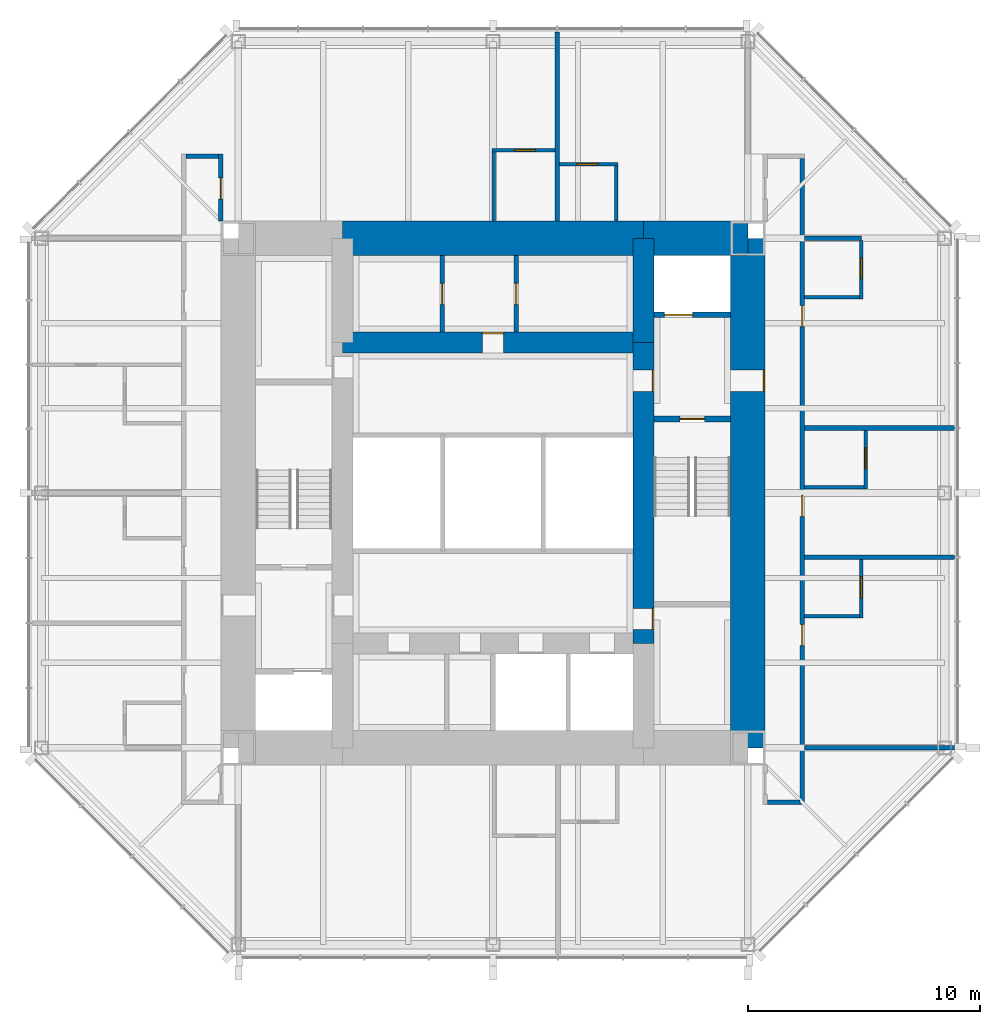
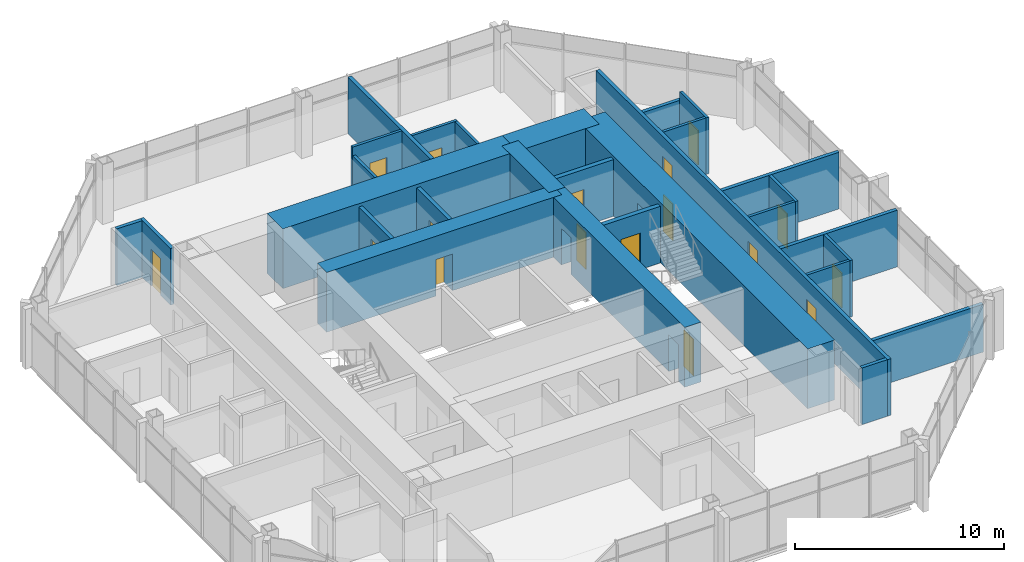
# One storey, part 9 of 11: 29 walls, 17 doors, 17 openings.
"""IFC4 building model written with IfcOpenShell, lengths in metres."""

from ifc_helpers import new_model, si_unit, direction, frame, frame_2d, origin, place, context, subcontext, project, spatial, rectangle, extrude, material, layer, layer_set, type_object, element, fill, save


model = new_model("IFC4")

# Units and contexts
model_context = context("Model", 3, precision=1e-05, world=origin(), true_north=direction((0.0, 1.0)))
body_context = subcontext(model_context, "Body", "Model", "MODEL_VIEW")
ifc_project = project(units=[si_unit("LENGTHUNIT", "METRE"), si_unit("AREAUNIT", "SQUARE_METRE"), si_unit("VOLUMEUNIT", "CUBIC_METRE"), si_unit("PLANEANGLEUNIT", "RADIAN"), si_unit("MASSUNIT", "GRAM", prefix="KILO")], contexts=[model_context])

# Site, building, storey
site_placement = place(None, origin())
site = spatial("IfcSite", under=ifc_project, at=site_placement, CompositionType="ELEMENT")
building_placement = place(site_placement, origin())
building = spatial("IfcBuilding", under=site, at=building_placement, Name="Trevanion Tower", CompositionType="ELEMENT")
storey_placement = place(building_placement, frame((0.0, 0.0, 246.699951171875)))
storey = spatial("IfcBuildingStorey", under=building, at=storey_placement, Name="L60", CompositionType="ELEMENT", Elevation=246.699951171875)

# Wall, opening, door
ifc_material_1 = material(Name="Concrete 10,000 psi", Category="concrete")
ifc_layer_1 = layer(ifc_material_1, 1.5)
ifc_layer_set_1 = layer_set([ifc_layer_1], Name="CW1 core wall 1500")
wall_type_1 = type_object("IfcWallType", Name="CW1 core wall 1500", PredefinedType="SHEAR", material=ifc_layer_set_1)
wall_1_placement = place(storey_placement, frame((11.0, -11.0, 0.0), z_axis=(0.0, 0.0, 1.0), x_axis=(0.0, 1.0, 0.0)))
wall_1 = element("IfcWall", 1, at=wall_1_placement, inside=storey, type_object=wall_type_1, Name="CW1 CE L60", PredefinedType="SHEAR", context=body_context, shape_type="SweptSolid", body=[
    extrude(rectangle(XDim=22.0, YDim=1.5, at=frame_2d((11.0, 0.0))), origin(), (0.0, 0.0, 1.0), 3.5),
])
opening_1_placement = place(wall_1_placement, frame((15.392578125, 0.0, 0.0)))
opening_1 = element("IfcOpeningElement", 2, at=opening_1_placement, cuts=wall_1, Name="Opening 60-001", PredefinedType="OPENING", context=body_context, shape_type="SweptSolid", body=[
    extrude(rectangle(XDim=0.9150390625, YDim=2.134033203125, at=frame_2d((0.45751953125, 1.06689453125))), frame((0.0, 0.760009765625, 0.0), z_axis=(0.0, -1.0, 0.0), x_axis=(1.0, 0.0, 0.0)), (0.0, 0.0, 1.0), 1.52001953125),
])
ifc_material_2 = material(Name="Hollow metal, fire rated", Category="steel")
door_type_1 = type_object("IfcDoorType", Name="D3 fire lift lobby door", OperationType="SINGLE_SWING_RIGHT", PredefinedType="DOOR", material=ifc_material_2)
door_1_placement = place(opening_1_placement, origin())
door_1 = element("IfcDoor", 3, at=door_1_placement, inside=storey, type_object=door_type_1, Name="Door 60-001", OperationType="SINGLE_SWING_RIGHT", OverallHeight=2.134033203125, OverallWidth=0.9150390625, PredefinedType="DOOR", context=body_context, shape_type="SweptSolid", body=[
    extrude(rectangle(XDim=0.9150390625, YDim=2.134033203125, at=frame_2d((0.45751953125, 1.06689453125))), frame((0.0, -0.6748046875, 0.0), z_axis=(0.0, -1.0, 0.0), x_axis=(1.0, 0.0, 0.0)), (0.0, 0.0, 1.0), 0.050048828125),
])
fill(opening_1, door_1)

# Walls
wall_2_placement = place(storey_placement, frame((11.0, 11.0, 0.0), z_axis=(0.0, 0.0, 1.0), x_axis=(-1.0, 0.0, 0.0)))
element("IfcWall", 4, at=wall_2_placement, inside=storey, type_object=wall_type_1, Name="CW1 CN1 L60", PredefinedType="SHEAR", context=body_context, shape_type="SweptSolid", body=[
    extrude(rectangle(XDim=4.5, YDim=1.5, at=frame_2d((2.25, 0.0))), origin(), (0.0, 0.0, 1.0), 3.5),
])
wall_3_placement = place(storey_placement, frame((6.5, 11.0, 0.0), z_axis=(0.0, 0.0, 1.0), x_axis=(-1.0, 0.0, 0.0)))
element("IfcWall", 5, at=wall_3_placement, inside=storey, type_object=wall_type_1, Name="CW1 CN2 L60", PredefinedType="SHEAR", context=body_context, shape_type="SweptSolid", body=[
    extrude(rectangle(XDim=13.0, YDim=1.5, at=frame_2d((6.5, 0.0))), origin(), (0.0, 0.0, 1.0), 3.5),
])

# Wall, openings, doors
ifc_material_3 = material(Name="Concrete 10,000 psi", Category="concrete")
ifc_layer_2 = layer(ifc_material_3, 0.89990234375)
ifc_layer_set_2 = layer_set([ifc_layer_2], Name="CW2 core wall 900")
wall_type_2 = type_object("IfcWallType", Name="CW2 core wall 900", PredefinedType="SHEAR", material=ifc_layer_set_2)
wall_4_placement = place(storey_placement, frame((6.5, -6.5, 0.0), z_axis=(0.0, 0.0, 1.0), x_axis=(0.0, 1.0, 0.0)))
wall_4 = element("IfcWall", 6, at=wall_4_placement, inside=storey, type_object=wall_type_2, Name="CW2 RE2 L60", PredefinedType="SHEAR", context=body_context, shape_type="SweptSolid", body=[
    extrude(rectangle(XDim=13.0, YDim=0.89990234375, at=frame_2d((6.5, 0.0))), origin(), (0.0, 0.0, 1.0), 3.5),
])
opening_2_placement = place(wall_4_placement, frame((10.892578125, 0.0, 0.0)))
opening_2 = element("IfcOpeningElement", 7, at=opening_2_placement, cuts=wall_4, Name="Opening 60-003", PredefinedType="OPENING", context=body_context, shape_type="SweptSolid", body=[
    extrude(rectangle(XDim=0.9150390625, YDim=2.134033203125, at=frame_2d((0.45751953125, 1.06689453125))), frame((0.0, 0.4599609375, 0.0), z_axis=(0.0, -1.0, 0.0), x_axis=(1.0, 0.0, 0.0)), (0.0, 0.0, 1.0), 0.919921875),
])
opening_3_placement = place(wall_4_placement, frame((0.610107421875, 0.0, 0.0)))
opening_3 = element("IfcOpeningElement", 8, at=opening_3_placement, cuts=wall_4, Name="Opening 60-009", PredefinedType="OPENING", context=body_context, shape_type="SweptSolid", body=[
    extrude(rectangle(XDim=0.9150390625, YDim=2.134033203125, at=frame_2d((0.45751953125, 1.06689453125))), frame((0.0, 0.4599609375, 0.0), z_axis=(0.0, -1.0, 0.0), x_axis=(1.0, 0.0, 0.0)), (0.0, 0.0, 1.0), 0.919921875),
])
door_2_placement = place(opening_2_placement, origin())
door_2 = element("IfcDoor", 9, at=door_2_placement, inside=storey, type_object=door_type_1, Name="Door 60-003", OperationType="SINGLE_SWING_RIGHT", OverallHeight=2.134033203125, OverallWidth=0.9150390625, PredefinedType="DOOR", context=body_context, shape_type="SweptSolid", body=[
    extrude(rectangle(XDim=0.9150390625, YDim=2.134033203125, at=frame_2d((0.45751953125, 1.06689453125))), frame((0.0, -0.375, 0.0), z_axis=(0.0, -1.0, 0.0), x_axis=(1.0, 0.0, 0.0)), (0.0, 0.0, 1.0), 0.050048828125),
])
fill(opening_2, door_2)
ifc_material_4 = material(Name="Hollow metal, fire rated", Category="steel")
door_type_2 = type_object("IfcDoorType", Name="D5 service room door", OperationType="SINGLE_SWING_RIGHT", PredefinedType="DOOR", material=ifc_material_4)
door_3_placement = place(opening_3_placement, origin())
door_3 = element("IfcDoor", 10, at=door_3_placement, inside=storey, type_object=door_type_2, Name="Door 60-009", OperationType="SINGLE_SWING_RIGHT", OverallHeight=2.134033203125, OverallWidth=0.9150390625, PredefinedType="DOOR", context=body_context, shape_type="SweptSolid", body=[
    extrude(rectangle(XDim=0.9150390625, YDim=2.134033203125, at=frame_2d((0.45751953125, 1.06689453125))), frame((0.0, -0.375, 0.0), z_axis=(0.0, -1.0, 0.0), x_axis=(1.0, 0.0, 0.0)), (0.0, 0.0, 1.0), 0.050048828125),
])
fill(opening_3, door_3)

# Wall
wall_5_placement = place(storey_placement, frame((6.5, 6.5, 0.0), z_axis=(0.0, 0.0, 1.0), x_axis=(0.0, 1.0, 0.0)))
element("IfcWall", 11, at=wall_5_placement, inside=storey, type_object=wall_type_2, Name="CW2 RE3 L60", PredefinedType="SHEAR", context=body_context, shape_type="SweptSolid", body=[
    extrude(rectangle(XDim=4.5, YDim=0.89990234375, at=frame_2d((2.25, 0.0))), origin(), (0.0, 0.0, 1.0), 3.5),
])

# Wall, opening, door
wall_6_placement = place(storey_placement, frame((6.5, 6.5, 0.0), z_axis=(0.0, 0.0, 1.0), x_axis=(-1.0, 0.0, 0.0)))
wall_6 = element("IfcWall", 12, at=wall_6_placement, inside=storey, type_object=wall_type_2, Name="CW2 RN L60", PredefinedType="SHEAR", context=body_context, shape_type="SweptSolid", body=[
    extrude(rectangle(XDim=13.0, YDim=0.89990234375, at=frame_2d((6.5, 0.0))), origin(), (0.0, 0.0, 1.0), 3.5),
])
opening_4_placement = place(wall_6_placement, frame((6.04248046875, 0.0, 0.0)))
opening_4 = element("IfcOpeningElement", 13, at=opening_4_placement, cuts=wall_6, Name="Opening 60-015", PredefinedType="OPENING", context=body_context, shape_type="SweptSolid", body=[
    extrude(rectangle(XDim=0.9150390625, YDim=2.134033203125, at=frame_2d((0.45751953125, 1.06689453125))), frame((0.0, 0.4599609375, 0.0), z_axis=(0.0, -1.0, 0.0), x_axis=(1.0, 0.0, 0.0)), (0.0, 0.0, 1.0), 0.919921875),
])
door_4_placement = place(opening_4_placement, origin())
door_4 = element("IfcDoor", 14, at=door_4_placement, inside=storey, type_object=door_type_2, Name="Door 60-015", OperationType="SINGLE_SWING_RIGHT", OverallHeight=2.134033203125, OverallWidth=0.9150390625, PredefinedType="DOOR", context=body_context, shape_type="SweptSolid", body=[
    extrude(rectangle(XDim=0.9150390625, YDim=2.134033203125, at=frame_2d((0.45751953125, 1.06689453125))), frame((0.0, -0.375, 0.0), z_axis=(0.0, -1.0, 0.0), x_axis=(1.0, 0.0, 0.0)), (0.0, 0.0, 1.0), 0.050048828125),
])
fill(opening_4, door_4)

ifc_material_5 = material(Name="Gypsum board on steel studs", Category="steel")
ifc_layer_3 = layer(ifc_material_5, 0.14990234375)
ifc_layer_set_3 = layer_set([ifc_layer_3], Name="PT1 partition 150")
wall_type_3 = type_object("IfcWallType", Name="PT1 partition 150", PredefinedType="PARTITIONING", material=ifc_layer_set_3)
wall_7_placement = place(storey_placement, frame((15.89990234375, -5.39990234375, 0.0), z_axis=(0.0, 0.0, 1.0), x_axis=(0.0, 1.0, 0.0)))
wall_7 = element("IfcWall", 15, at=wall_7_placement, inside=storey, type_object=wall_type_3, Name="PT1 L60 BA00", PredefinedType="PARTITIONING", context=body_context, shape_type="SweptSolid", body=[
    extrude(rectangle(XDim=2.52490234375, YDim=0.14990234375, at=frame_2d((1.262451171875, 0.0))), origin(), (0.0, 0.0, 1.0), 3.31005859375),
])
opening_5_placement = place(wall_7_placement, frame((0.867431640625, 0.0, 0.0)))
opening_5 = element("IfcOpeningElement", 16, at=opening_5_placement, cuts=wall_7, Name="Opening 60-018", PredefinedType="OPENING", context=body_context, shape_type="SweptSolid", body=[
    extrude(rectangle(XDim=0.9150390625, YDim=2.031982421875, at=frame_2d((0.45751953125, 1.01611328125))), frame((0.0, 0.0849609375, 0.0), z_axis=(0.0, -1.0, 0.0), x_axis=(1.0, 0.0, 0.0)), (0.0, 0.0, 1.0), 0.169921875),
])
ifc_material_6 = material(Name="Timber veneer", Category="wood")
door_type_3 = type_object("IfcDoorType", Name="D7 bathroom door", OperationType="SINGLE_SWING_LEFT", PredefinedType="DOOR", material=ifc_material_6)
door_5_placement = place(opening_5_placement, origin())
door_5 = element("IfcDoor", 17, at=door_5_placement, inside=storey, type_object=door_type_3, Name="Door 60-018", OperationType="SINGLE_SWING_LEFT", OverallHeight=2.031982421875, OverallWidth=0.9150390625, PredefinedType="DOOR", context=body_context, shape_type="SweptSolid", body=[
    extrude(rectangle(XDim=0.9150390625, YDim=2.031982421875, at=frame_2d((0.45751953125, 1.01611328125))), frame((0.0, 0.02490234375, 0.0), z_axis=(0.0, -1.0, 0.0), x_axis=(1.0, 0.0, 0.0)), (0.0, 0.0, 1.0), 0.050048828125),
])
fill(opening_5, door_5)

# Wall
wall_8_placement = place(storey_placement, frame((13.449951171875, -5.324951171875, 0.0), z_axis=(0.0, 0.0, 1.0), x_axis=(1.0, 0.0, 0.0)))
element("IfcWall", 18, at=wall_8_placement, inside=storey, type_object=wall_type_3, Name="PT1 L60 BB00", PredefinedType="PARTITIONING", context=body_context, shape_type="SweptSolid", body=[
    extrude(rectangle(XDim=2.375, YDim=0.14990234375, at=frame_2d((1.1875, 0.0))), origin(), (0.0, 0.0, 1.0), 3.31005859375),
])

# Wall, opening, door
wall_9_placement = place(storey_placement, frame((16.10009765625, 0.181884765625, 0.0), z_axis=(0.0, 0.0, 1.0), x_axis=(0.0, 1.0, 0.0)))
wall_9 = element("IfcWall", 19, at=wall_9_placement, inside=storey, type_object=wall_type_3, Name="PT1 L60 BA01", PredefinedType="PARTITIONING", context=body_context, shape_type="SweptSolid", body=[
    extrude(rectangle(XDim=2.525146484375, YDim=0.14990234375, at=frame_2d((1.2626953125, 0.0))), origin(), (0.0, 0.0, 1.0), 3.31005859375),
])
opening_6_placement = place(wall_9_placement, frame((0.867431640625, 0.0, 0.0)))
opening_6 = element("IfcOpeningElement", 20, at=opening_6_placement, cuts=wall_9, Name="Opening 60-020", PredefinedType="OPENING", context=body_context, shape_type="SweptSolid", body=[
    extrude(rectangle(XDim=0.9150390625, YDim=2.031982421875, at=frame_2d((0.45751953125, 1.01611328125))), frame((0.0, 0.0849609375, 0.0), z_axis=(0.0, -1.0, 0.0), x_axis=(1.0, 0.0, 0.0)), (0.0, 0.0, 1.0), 0.169921875),
])
door_6_placement = place(opening_6_placement, origin())
door_6 = element("IfcDoor", 21, at=door_6_placement, inside=storey, type_object=door_type_3, Name="Door 60-020", OperationType="SINGLE_SWING_LEFT", OverallHeight=2.031982421875, OverallWidth=0.9150390625, PredefinedType="DOOR", context=body_context, shape_type="SweptSolid", body=[
    extrude(rectangle(XDim=0.9150390625, YDim=2.031982421875, at=frame_2d((0.45751953125, 1.01611328125))), frame((0.0, 0.02490234375, 0.0), z_axis=(0.0, -1.0, 0.0), x_axis=(1.0, 0.0, 0.0)), (0.0, 0.0, 1.0), 0.050048828125),
])
fill(opening_6, door_6)

# Wall
wall_10_placement = place(storey_placement, frame((13.449951171875, 0.257080078125, 0.0), z_axis=(0.0, 0.0, 1.0), x_axis=(1.0, 0.0, 0.0)))
element("IfcWall", 22, at=wall_10_placement, inside=storey, type_object=wall_type_3, Name="PT1 L60 BB01", PredefinedType="PARTITIONING", context=body_context, shape_type="SweptSolid", body=[
    extrude(rectangle(XDim=2.574951171875, YDim=0.14990234375, at=frame_2d((1.28759765625, 0.0))), origin(), (0.0, 0.0, 1.0), 3.31005859375),
])

# Wall, opening, door
wall_11_placement = place(storey_placement, frame((15.89990234375, 8.375, 0.0), z_axis=(0.0, 0.0, 1.0), x_axis=(0.0, 1.0, 0.0)))
wall_11 = element("IfcWall", 23, at=wall_11_placement, inside=storey, type_object=wall_type_3, Name="PT1 L60 BA02", PredefinedType="PARTITIONING", context=body_context, shape_type="SweptSolid", body=[
    extrude(rectangle(XDim=2.52490234375, YDim=0.14990234375, at=frame_2d((1.262451171875, 0.0))), origin(), (0.0, 0.0, 1.0), 3.31005859375),
])
opening_7_placement = place(wall_11_placement, frame((0.867431640625, 0.0, 0.0)))
opening_7 = element("IfcOpeningElement", 24, at=opening_7_placement, cuts=wall_11, Name="Opening 60-022", PredefinedType="OPENING", context=body_context, shape_type="SweptSolid", body=[
    extrude(rectangle(XDim=0.9150390625, YDim=2.031982421875, at=frame_2d((0.45751953125, 1.01611328125))), frame((0.0, 0.0849609375, 0.0), z_axis=(0.0, -1.0, 0.0), x_axis=(1.0, 0.0, 0.0)), (0.0, 0.0, 1.0), 0.169921875),
])
door_7_placement = place(opening_7_placement, origin())
door_7 = element("IfcDoor", 25, at=door_7_placement, inside=storey, type_object=door_type_3, Name="Door 60-022", OperationType="SINGLE_SWING_LEFT", OverallHeight=2.031982421875, OverallWidth=0.9150390625, PredefinedType="DOOR", context=body_context, shape_type="SweptSolid", body=[
    extrude(rectangle(XDim=0.9150390625, YDim=2.031982421875, at=frame_2d((0.45751953125, 1.01611328125))), frame((0.0, 0.02490234375, 0.0), z_axis=(0.0, -1.0, 0.0), x_axis=(1.0, 0.0, 0.0)), (0.0, 0.0, 1.0), 0.050048828125),
])
fill(opening_7, door_7)

# Wall
wall_12_placement = place(storey_placement, frame((13.449951171875, 8.449951171875, 0.0), z_axis=(0.0, 0.0, 1.0), x_axis=(1.0, 0.0, 0.0)))
element("IfcWall", 26, at=wall_12_placement, inside=storey, type_object=wall_type_3, Name="PT1 L60 BB02", PredefinedType="PARTITIONING", context=body_context, shape_type="SweptSolid", body=[
    extrude(rectangle(XDim=2.375, YDim=0.14990234375, at=frame_2d((1.1875, 0.0))), origin(), (0.0, 0.0, 1.0), 3.31005859375),
])

# Wall, opening, door
wall_13_placement = place(storey_placement, frame((5.39990234375, 14.199951171875, 0.0), z_axis=(0.0, 0.0, 1.0), x_axis=(-1.0, 0.0, 0.0)))
wall_13 = element("IfcWall", 27, at=wall_13_placement, inside=storey, type_object=wall_type_3, Name="PT1 L60 BA10", PredefinedType="PARTITIONING", context=body_context, shape_type="SweptSolid", body=[
    extrude(rectangle(XDim=2.52490234375, YDim=0.14990234375, at=frame_2d((1.262451171875, 0.0))), origin(), (0.0, 0.0, 1.0), 3.31005859375),
])
opening_8_placement = place(wall_13_placement, frame((0.867431640625, 0.0, 0.0)))
opening_8 = element("IfcOpeningElement", 28, at=opening_8_placement, cuts=wall_13, Name="Opening 60-026", PredefinedType="OPENING", context=body_context, shape_type="SweptSolid", body=[
    extrude(rectangle(XDim=0.9150390625, YDim=2.031982421875, at=frame_2d((0.45751953125, 1.01611328125))), frame((0.0, 0.0849609375, 0.0), z_axis=(0.0, -1.0, 0.0), x_axis=(1.0, 0.0, 0.0)), (0.0, 0.0, 1.0), 0.169921875),
])
door_8_placement = place(opening_8_placement, origin())
door_8 = element("IfcDoor", 29, at=door_8_placement, inside=storey, type_object=door_type_3, Name="Door 60-026", OperationType="SINGLE_SWING_LEFT", OverallHeight=2.031982421875, OverallWidth=0.9150390625, PredefinedType="DOOR", context=body_context, shape_type="SweptSolid", body=[
    extrude(rectangle(XDim=0.9150390625, YDim=2.031982421875, at=frame_2d((0.45751953125, 1.01611328125))), frame((0.0, 0.02490234375, 0.0), z_axis=(0.0, -1.0, 0.0), x_axis=(1.0, 0.0, 0.0)), (0.0, 0.0, 1.0), 0.050048828125),
])
fill(opening_8, door_8)

# Wall
wall_14_placement = place(storey_placement, frame((5.324951171875, 11.75, 0.0), z_axis=(0.0, 0.0, 1.0), x_axis=(0.0, 1.0, 0.0)))
element("IfcWall", 30, at=wall_14_placement, inside=storey, type_object=wall_type_3, Name="PT1 L60 BB10", PredefinedType="PARTITIONING", context=body_context, shape_type="SweptSolid", body=[
    extrude(rectangle(XDim=2.375, YDim=0.14990234375, at=frame_2d((1.1875, 0.0))), origin(), (0.0, 0.0, 1.0), 3.31005859375),
])

# Wall, opening, door
wall_15_placement = place(storey_placement, frame((2.675048828125, 14.800048828125, 0.0), z_axis=(0.0, 0.0, 1.0), x_axis=(-1.0, 0.0, 0.0)))
wall_15 = element("IfcWall", 31, at=wall_15_placement, inside=storey, type_object=wall_type_3, Name="PT1 L60 BA11", PredefinedType="PARTITIONING", context=body_context, shape_type="SweptSolid", body=[
    extrude(rectangle(XDim=2.72509765625, YDim=0.14990234375, at=frame_2d((1.362548828125, 0.0))), origin(), (0.0, 0.0, 1.0), 3.31005859375),
])
opening_9_placement = place(wall_15_placement, frame((0.842529296875, 0.0, 0.0)))
opening_9 = element("IfcOpeningElement", 32, at=opening_9_placement, cuts=wall_15, Name="Opening 60-027", PredefinedType="OPENING", context=body_context, shape_type="SweptSolid", body=[
    extrude(rectangle(XDim=0.9150390625, YDim=2.031982421875, at=frame_2d((0.45751953125, 1.01611328125))), frame((0.0, 0.0849609375, 0.0), z_axis=(0.0, -1.0, 0.0), x_axis=(1.0, 0.0, 0.0)), (0.0, 0.0, 1.0), 0.169921875),
])
door_9_placement = place(opening_9_placement, origin())
door_9 = element("IfcDoor", 33, at=door_9_placement, inside=storey, type_object=door_type_3, Name="Door 60-027", OperationType="SINGLE_SWING_LEFT", OverallHeight=2.031982421875, OverallWidth=0.9150390625, PredefinedType="DOOR", context=body_context, shape_type="SweptSolid", body=[
    extrude(rectangle(XDim=0.9150390625, YDim=2.031982421875, at=frame_2d((0.45751953125, 1.01611328125))), frame((0.0, 0.02490234375, 0.0), z_axis=(0.0, -1.0, 0.0), x_axis=(1.0, 0.0, 0.0)), (0.0, 0.0, 1.0), 0.050048828125),
])
fill(opening_9, door_9)

# Wall
wall_16_placement = place(storey_placement, frame((0.02490234375, 11.75, 0.0), z_axis=(0.0, 0.0, 1.0), x_axis=(0.0, 1.0, 0.0)))
element("IfcWall", 34, at=wall_16_placement, inside=storey, type_object=wall_type_3, Name="PT1 L60 BB11", PredefinedType="PARTITIONING", context=body_context, shape_type="SweptSolid", body=[
    extrude(rectangle(XDim=2.97509765625, YDim=0.14990234375, at=frame_2d((1.487548828125, 0.0))), origin(), (0.0, 0.0, 1.0), 2.802001953125),
])

# Wall, opening, door
ifc_material_7 = material(Name="Concrete masonry, grouted", Category="masonry")
ifc_layer_4 = layer(ifc_material_7, 0.199951171875)
ifc_layer_set_4 = layer_set([ifc_layer_4], Name="PT2 partition 200 1 HR")
wall_type_4 = type_object("IfcWallType", Name="PT2 partition 200 1 HR", PredefinedType="PARTITIONING", material=ifc_layer_set_4)
wall_17_placement = place(storey_placement, frame((-2.199951171875, 6.949951171875, 0.0), z_axis=(0.0, 0.0, 1.0), x_axis=(0.0, 1.0, 0.0)))
wall_17 = element("IfcWall", 35, at=wall_17_placement, inside=storey, type_object=wall_type_4, Name="PT2 L60 HKP1", PredefinedType="PARTITIONING", context=body_context, shape_type="SweptSolid", body=[
    extrude(rectangle(XDim=3.300048828125, YDim=0.199951171875, at=frame_2d((1.64990234375, 0.0))), origin(), (0.0, 0.0, 1.0), 3.31005859375),
])
opening_10_placement = place(wall_17_placement, frame((1.1923828125, 0.0, 0.0)))
opening_10 = element("IfcOpeningElement", 36, at=opening_10_placement, cuts=wall_17, Name="Opening 60-016", PredefinedType="OPENING", context=body_context, shape_type="SweptSolid", body=[
    extrude(rectangle(XDim=0.9150390625, YDim=2.134033203125, at=frame_2d((0.45751953125, 1.06689453125))), frame((0.0, 0.10986328125, 0.0), z_axis=(0.0, -1.0, 0.0), x_axis=(1.0, 0.0, 0.0)), (0.0, 0.0, 1.0), 0.219970703125),
])
door_10_placement = place(opening_10_placement, origin())
door_10 = element("IfcDoor", 37, at=door_10_placement, inside=storey, type_object=door_type_2, Name="Door 60-016", OperationType="SINGLE_SWING_RIGHT", OverallHeight=2.134033203125, OverallWidth=0.9150390625, PredefinedType="DOOR", context=body_context, shape_type="SweptSolid", body=[
    extrude(rectangle(XDim=0.9150390625, YDim=2.134033203125, at=frame_2d((0.45751953125, 1.06689453125))), frame((0.0, 0.02490234375, 0.0), z_axis=(0.0, -1.0, 0.0), x_axis=(1.0, 0.0, 0.0)), (0.0, 0.0, 1.0), 0.050048828125),
])
fill(opening_10, door_10)

wall_18_placement = place(storey_placement, frame((1.0, 6.949951171875, 0.0), z_axis=(0.0, 0.0, 1.0), x_axis=(0.0, 1.0, 0.0)))
wall_18 = element("IfcWall", 38, at=wall_18_placement, inside=storey, type_object=wall_type_4, Name="PT2 L60 HKP2", PredefinedType="PARTITIONING", context=body_context, shape_type="SweptSolid", body=[
    extrude(rectangle(XDim=3.300048828125, YDim=0.199951171875, at=frame_2d((1.64990234375, 0.0))), origin(), (0.0, 0.0, 1.0), 3.31005859375),
])
opening_11_placement = place(wall_18_placement, frame((1.1923828125, 0.0, 0.0)))
opening_11 = element("IfcOpeningElement", 39, at=opening_11_placement, cuts=wall_18, Name="Opening 60-017", PredefinedType="OPENING", context=body_context, shape_type="SweptSolid", body=[
    extrude(rectangle(XDim=0.9150390625, YDim=2.134033203125, at=frame_2d((0.45751953125, 1.06689453125))), frame((0.0, 0.10986328125, 0.0), z_axis=(0.0, -1.0, 0.0), x_axis=(1.0, 0.0, 0.0)), (0.0, 0.0, 1.0), 0.219970703125),
])
door_11_placement = place(opening_11_placement, origin())
door_11 = element("IfcDoor", 40, at=door_11_placement, inside=storey, type_object=door_type_2, Name="Door 60-017", OperationType="SINGLE_SWING_RIGHT", OverallHeight=2.134033203125, OverallWidth=0.9150390625, PredefinedType="DOOR", context=body_context, shape_type="SweptSolid", body=[
    extrude(rectangle(XDim=0.9150390625, YDim=2.134033203125, at=frame_2d((0.45751953125, 1.06689453125))), frame((0.0, 0.02490234375, 0.0), z_axis=(0.0, -1.0, 0.0), x_axis=(1.0, 0.0, 0.0)), (0.0, 0.0, 1.0), 0.050048828125),
])
fill(opening_11, door_11)

wall_19_placement = place(storey_placement, frame((-11.75, 11.75, 0.0), z_axis=(0.0, 0.0, 1.0), x_axis=(0.0, 1.0, 0.0)))
wall_19 = element("IfcWall", 41, at=wall_19_placement, inside=storey, type_object=wall_type_4, Name="PT2 L60 HO1b", PredefinedType="PARTITIONING", context=body_context, shape_type="SweptSolid", body=[
    extrude(rectangle(XDim=2.89990234375, YDim=0.199951171875, at=frame_2d((1.449951171875, 0.0))), origin(), (0.0, 0.0, 1.0), 3.31005859375),
])
opening_12_placement = place(wall_19_placement, frame((0.9423828125, 0.0, 0.0)))
opening_12 = element("IfcOpeningElement", 42, at=opening_12_placement, cuts=wall_19, Name="Opening 60-025", PredefinedType="OPENING", context=body_context, shape_type="SweptSolid", body=[
    extrude(rectangle(XDim=0.9150390625, YDim=2.134033203125, at=frame_2d((0.45751953125, 1.06689453125))), frame((0.0, 0.10986328125, 0.0), z_axis=(0.0, -1.0, 0.0), x_axis=(1.0, 0.0, 0.0)), (0.0, 0.0, 1.0), 0.219970703125),
])
ifc_material_8 = material(Name="Timber veneer, fire rated", Category="wood")
door_type_4 = type_object("IfcDoorType", Name="D6 guest room entrance door", OperationType="SINGLE_SWING_LEFT", PredefinedType="DOOR", material=ifc_material_8)
door_12_placement = place(opening_12_placement, origin())
door_12 = element("IfcDoor", 43, at=door_12_placement, inside=storey, type_object=door_type_4, Name="Door 60-025", OperationType="SINGLE_SWING_LEFT", OverallHeight=2.134033203125, OverallWidth=0.9150390625, PredefinedType="DOOR", context=body_context, shape_type="SweptSolid", body=[
    extrude(rectangle(XDim=0.9150390625, YDim=2.134033203125, at=frame_2d((0.45751953125, 1.06689453125))), frame((0.0, 0.02490234375, 0.0), z_axis=(0.0, -1.0, 0.0), x_axis=(1.0, 0.0, 0.0)), (0.0, 0.0, 1.0), 0.050048828125),
])
fill(opening_12, door_12)

# Walls
for number, where, z_axis, x_axis, name in (
    (44, (-11.85009765625, 14.550048828125, 0.0), (0.0, 0.0, 1.0), (-1.0, 0.0, 0.0), "PT2 L60 HC1cb"),
    (45, (11.85009765625, -13.35009765625, 0.0), (0.0, 0.0, 1.0), (1.0, 0.0, 0.0), "PT2 L60 HC3cb"),
):
    element("IfcWall", number, at=place(storey_placement, frame(where, z_axis=z_axis, x_axis=x_axis)), inside=storey, type_object=wall_type_4, Name=name, PredefinedType="PARTITIONING", context=body_context, shape_type="SweptSolid", body=[
        extrude(rectangle(XDim=1.39990234375, YDim=0.199951171875, at=frame_2d((0.699951171875, 0.0))), origin(), (0.0, 0.0, 1.0), 3.31005859375),
    ])

# Wall, openings, doors
wall_20_placement = place(storey_placement, frame((13.35009765625, -13.449951171875, 0.0), z_axis=(0.0, 0.0, 1.0), x_axis=(0.0, 1.0, 0.0)))
wall_20 = element("IfcWall", 46, at=wall_20_placement, inside=storey, type_object=wall_type_4, Name="PT2 L60 HC0", PredefinedType="PARTITIONING", context=body_context, shape_type="SweptSolid", body=[
    extrude(rectangle(XDim=27.89990234375, YDim=0.199951171875, at=frame_2d((13.949951171875, 0.0))), origin(), (0.0, 0.0, 1.0), 3.31005859375),
])
opening_13_placement = place(wall_20_placement, frame((6.857421875, 0.0, 0.0)))
opening_13 = element("IfcOpeningElement", 47, at=opening_13_placement, cuts=wall_20, Name="Opening 60-019", PredefinedType="OPENING", context=body_context, shape_type="SweptSolid", body=[
    extrude(rectangle(XDim=0.9150390625, YDim=2.134033203125, at=frame_2d((0.45751953125, 1.06689453125))), frame((0.0, 0.10986328125, 0.0), z_axis=(0.0, -1.0, 0.0), x_axis=(1.0, 0.0, 0.0)), (0.0, 0.0, 1.0), 0.219970703125),
])
opening_14_placement = place(wall_20_placement, frame((12.439453125, 0.0, 0.0)))
opening_14 = element("IfcOpeningElement", 48, at=opening_14_placement, cuts=wall_20, Name="Opening 60-021", PredefinedType="OPENING", context=body_context, shape_type="SweptSolid", body=[
    extrude(rectangle(XDim=0.9150390625, YDim=2.134033203125, at=frame_2d((0.45751953125, 1.06689453125))), frame((0.0, 0.10986328125, 0.0), z_axis=(0.0, -1.0, 0.0), x_axis=(1.0, 0.0, 0.0)), (0.0, 0.0, 1.0), 0.219970703125),
])
opening_15_placement = place(wall_20_placement, frame((20.632568359375, 0.0, 0.0)))
opening_15 = element("IfcOpeningElement", 49, at=opening_15_placement, cuts=wall_20, Name="Opening 60-023", PredefinedType="OPENING", context=body_context, shape_type="SweptSolid", body=[
    extrude(rectangle(XDim=0.9150390625, YDim=2.134033203125, at=frame_2d((0.45751953125, 1.06689453125))), frame((0.0, 0.10986328125, 0.0), z_axis=(0.0, -1.0, 0.0), x_axis=(1.0, 0.0, 0.0)), (0.0, 0.0, 1.0), 0.219970703125),
])
door_13_placement = place(opening_13_placement, origin())
door_13 = element("IfcDoor", 50, at=door_13_placement, inside=storey, type_object=door_type_4, Name="Door 60-019", OperationType="SINGLE_SWING_LEFT", OverallHeight=2.134033203125, OverallWidth=0.9150390625, PredefinedType="DOOR", context=body_context, shape_type="SweptSolid", body=[
    extrude(rectangle(XDim=0.9150390625, YDim=2.134033203125, at=frame_2d((0.45751953125, 1.06689453125))), frame((0.0, 0.02490234375, 0.0), z_axis=(0.0, -1.0, 0.0), x_axis=(1.0, 0.0, 0.0)), (0.0, 0.0, 1.0), 0.050048828125),
])
fill(opening_13, door_13)
door_14_placement = place(opening_14_placement, origin())
door_14 = element("IfcDoor", 51, at=door_14_placement, inside=storey, type_object=door_type_4, Name="Door 60-021", OperationType="SINGLE_SWING_LEFT", OverallHeight=2.134033203125, OverallWidth=0.9150390625, PredefinedType="DOOR", context=body_context, shape_type="SweptSolid", body=[
    extrude(rectangle(XDim=0.9150390625, YDim=2.134033203125, at=frame_2d((0.45751953125, 1.06689453125))), frame((0.0, 0.02490234375, 0.0), z_axis=(0.0, -1.0, 0.0), x_axis=(1.0, 0.0, 0.0)), (0.0, 0.0, 1.0), 0.050048828125),
])
fill(opening_14, door_14)
door_15_placement = place(opening_15_placement, origin())
door_15 = element("IfcDoor", 52, at=door_15_placement, inside=storey, type_object=door_type_4, Name="Door 60-023", OperationType="SINGLE_SWING_LEFT", OverallHeight=2.134033203125, OverallWidth=0.9150390625, PredefinedType="DOOR", context=body_context, shape_type="SweptSolid", body=[
    extrude(rectangle(XDim=0.9150390625, YDim=2.134033203125, at=frame_2d((0.45751953125, 1.06689453125))), frame((0.0, 0.02490234375, 0.0), z_axis=(0.0, -1.0, 0.0), x_axis=(1.0, 0.0, 0.0)), (0.0, 0.0, 1.0), 0.050048828125),
])
fill(opening_15, door_15)

# Walls
wall_21_placement = place(storey_placement, frame((13.449951171875, -11.0, 0.0), z_axis=(0.0, 0.0, 1.0), x_axis=(1.0, 0.0, 0.0)))
element("IfcWall", 53, at=wall_21_placement, inside=storey, type_object=wall_type_4, Name="PT2 L60 HD00", PredefinedType="PARTITIONING", context=body_context, shape_type="SweptSolid", body=[
    extrude(rectangle(XDim=6.465087890625, YDim=0.199951171875, at=frame_2d((3.232421875, 0.0))), origin(), (0.0, 0.0, 1.0), 2.802001953125),
])
for number, where, z_axis, x_axis, name in (
    (54, (13.449951171875, -2.77490234375, 0.0), (0.0, 0.0, 1.0), (1.0, 0.0, 0.0), "PT2 L60 HD01"),
    (55, (13.449951171875, 2.806884765625, 0.0), (0.0, 0.0, 1.0), (1.0, 0.0, 0.0), "PT2 L60 HD02"),
):
    element("IfcWall", number, at=place(storey_placement, frame(where, z_axis=z_axis, x_axis=x_axis)), inside=storey, type_object=wall_type_4, Name=name, PredefinedType="PARTITIONING", context=body_context, shape_type="SweptSolid", body=[
        extrude(rectangle(XDim=6.465087890625, YDim=0.199951171875, at=frame_2d((3.232421875, 0.0))), origin(), (0.0, 0.0, 1.0), 3.31005859375),
    ])
wall_22_placement = place(storey_placement, frame((13.449951171875, 11.0, 0.0), z_axis=(0.0, 0.0, 1.0), x_axis=(1.0, 0.0, 0.0)))
element("IfcWall", 56, at=wall_22_placement, inside=storey, type_object=wall_type_4, Name="PT2 L60 BC02", PredefinedType="PARTITIONING", context=body_context, shape_type="SweptSolid", body=[
    extrude(rectangle(XDim=2.449951171875, YDim=0.199951171875, at=frame_2d((1.22509765625, 0.0))), origin(), (0.0, 0.0, 1.0), 2.802001953125),
])
wall_23_placement = place(storey_placement, frame((2.77490234375, 11.75, 0.0), z_axis=(0.0, 0.0, 1.0), x_axis=(0.0, 1.0, 0.0)))
element("IfcWall", 57, at=wall_23_placement, inside=storey, type_object=wall_type_4, Name="PT2 L60 HD11", PredefinedType="PARTITIONING", context=body_context, shape_type="SweptSolid", body=[
    extrude(rectangle(XDim=8.1650390625, YDim=0.199951171875, at=frame_2d((4.08251953125, 0.0))), origin(), (0.0, 0.0, 1.0), 3.31005859375),
])

# Wall, opening, door
ifc_material_9 = material(Name="Concrete masonry, grouted, two-hour", Category="masonry")
ifc_layer_5 = layer(ifc_material_9, 0.25)
ifc_layer_set_5 = layer_set([ifc_layer_5], Name="PT3 partition 250 2 HR")
wall_type_5 = type_object("IfcWallType", Name="PT3 partition 250 2 HR", PredefinedType="PARTITIONING", material=ifc_layer_set_5)
wall_24_placement = place(storey_placement, frame((6.949951171875, 7.699951171875, 0.0), z_axis=(0.0, 0.0, 1.0), x_axis=(1.0, 0.0, 0.0)))
wall_24 = element("IfcWall", 58, at=wall_24_placement, inside=storey, type_object=wall_type_5, Name="PT3 L60 EP3", PredefinedType="PARTITIONING", context=body_context, shape_type="SweptSolid", body=[
    extrude(rectangle(XDim=3.300048828125, YDim=0.25, at=frame_2d((1.64990234375, 0.0))), origin(), (0.0, 0.0, 1.0), 3.31005859375),
])
opening_16_placement = place(wall_24_placement, frame((0.449951171875, 0.0, 0.0)))
opening_16 = element("IfcOpeningElement", 59, at=opening_16_placement, cuts=wall_24, Name="Opening 60-007", PredefinedType="OPENING", context=body_context, shape_type="SweptSolid", body=[
    extrude(rectangle(XDim=1.218994140625, YDim=2.134033203125, at=frame_2d((0.609375, 1.06689453125))), frame((0.0, 0.135009765625, 0.0), z_axis=(0.0, -1.0, 0.0), x_axis=(1.0, 0.0, 0.0)), (0.0, 0.0, 1.0), 0.27001953125),
])
ifc_material_10 = material(Name="Stainless steel, fire rated", Category="steel")
door_type_5 = type_object("IfcDoorType", Name="LD2 fire service lift landing door", OperationType="SLIDING_TO_LEFT", PredefinedType="DOOR", material=ifc_material_10)
door_16_placement = place(opening_16_placement, origin())
door_16 = element("IfcDoor", 60, at=door_16_placement, inside=storey, type_object=door_type_5, Name="Door 60-007", OperationType="SLIDING_TO_LEFT", OverallHeight=2.134033203125, OverallWidth=1.218994140625, PredefinedType="DOOR", context=body_context, shape_type="SweptSolid", body=[
    extrude(rectangle(XDim=1.218994140625, YDim=2.134033203125, at=frame_2d((0.609375, 1.06689453125))), frame((0.0, 0.02490234375, 0.0), z_axis=(0.0, -1.0, 0.0), x_axis=(1.0, 0.0, 0.0)), (0.0, 0.0, 1.0), 0.050048828125),
])
fill(opening_16, door_16)

ifc_material_11 = material(Name="Reinforced masonry, fully grouted", Category="masonry")
ifc_layer_6 = layer(ifc_material_11, 0.25)
ifc_layer_set_6 = layer_set([ifc_layer_6], Name="SW1 stair shaft wall 250")
wall_type_6 = type_object("IfcWallType", Name="SW1 stair shaft wall 250", PredefinedType="SOLIDWALL", material=ifc_layer_set_6)
wall_25_placement = place(storey_placement, frame((6.949951171875, 3.199951171875, 0.0), z_axis=(0.0, 0.0, 1.0), x_axis=(1.0, 0.0, 0.0)))
wall_25 = element("IfcWall", 61, at=wall_25_placement, inside=storey, type_object=wall_type_6, Name="SW1 L60 EP2", PredefinedType="SOLIDWALL", context=body_context, shape_type="SweptSolid", body=[
    extrude(rectangle(XDim=3.300048828125, YDim=0.25, at=frame_2d((1.64990234375, 0.0))), origin(), (0.0, 0.0, 1.0), 3.31005859375),
])
opening_17_placement = place(wall_25_placement, frame((1.116455078125, 0.0, 0.0)))
opening_17 = element("IfcOpeningElement", 62, at=opening_17_placement, cuts=wall_25, Name="Opening 60-005", PredefinedType="OPENING", context=body_context, shape_type="SweptSolid", body=[
    extrude(rectangle(XDim=1.06689453125, YDim=2.134033203125, at=frame_2d((0.533447265625, 1.06689453125))), frame((0.0, 0.135009765625, 0.0), z_axis=(0.0, -1.0, 0.0), x_axis=(1.0, 0.0, 0.0)), (0.0, 0.0, 1.0), 0.27001953125),
])
ifc_material_12 = material(Name="Hollow metal, fire rated", Category="steel")
door_type_6 = type_object("IfcDoorType", Name="D2 exit stair door", OperationType="SINGLE_SWING_LEFT", PredefinedType="DOOR", material=ifc_material_12)
door_17_placement = place(opening_17_placement, origin())
door_17 = element("IfcDoor", 63, at=door_17_placement, inside=storey, type_object=door_type_6, Name="Door 60-005", OperationType="SINGLE_SWING_LEFT", OverallHeight=2.134033203125, OverallWidth=1.06689453125, PredefinedType="DOOR", context=body_context, shape_type="SweptSolid", body=[
    extrude(rectangle(XDim=1.06689453125, YDim=2.134033203125, at=frame_2d((0.533447265625, 1.06689453125))), frame((0.0, 0.02490234375, 0.0), z_axis=(0.0, -1.0, 0.0), x_axis=(1.0, 0.0, 0.0)), (0.0, 0.0, 1.0), 0.050048828125),
])
fill(opening_17, door_17)

save(model, "model.ifc")
